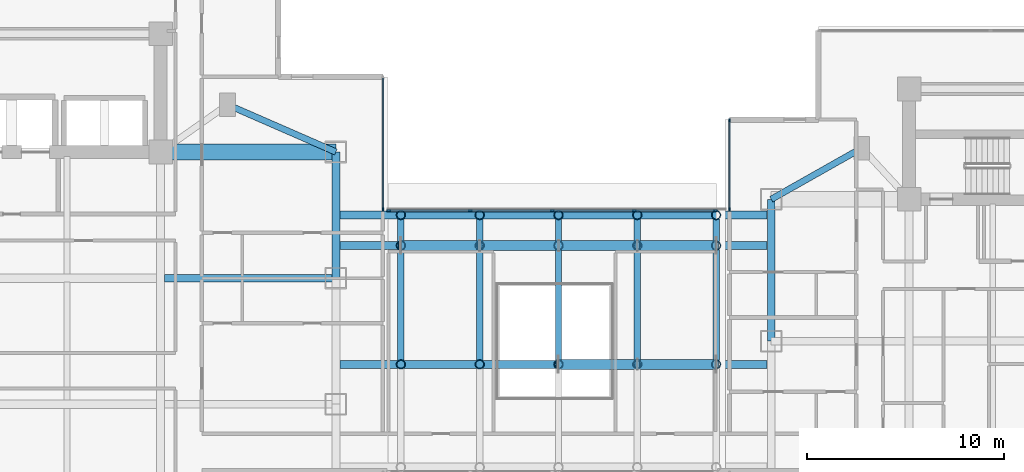
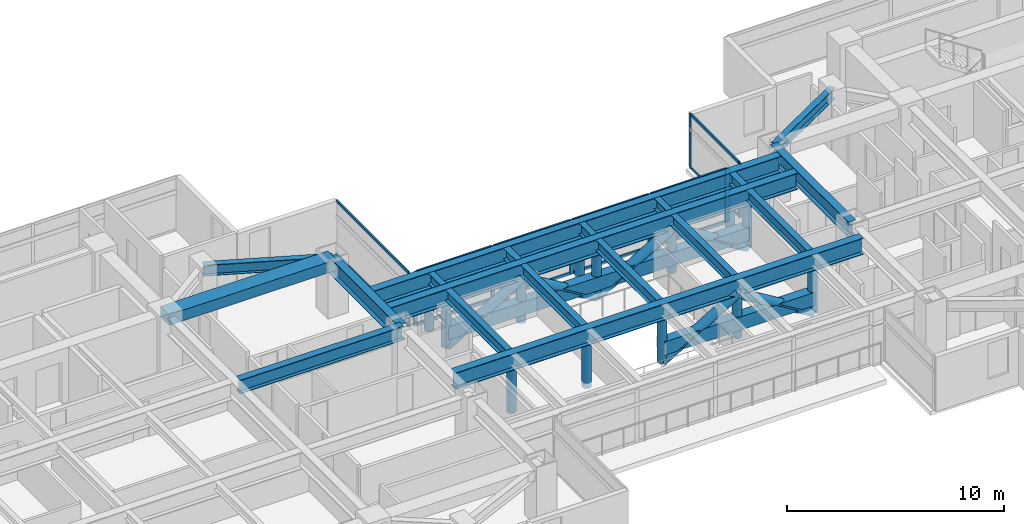
# One storey, part 6 of 27: 43 members, 19 beams, 3 elements without a shape of their own.
"""IFC4 building model written with IfcOpenShell, lengths in metres."""

from ifc_helpers import new_model, si_unit, direction, frame, origin, origin_2d, place, context, subcontext, project, spatial, rectangle, hollow_rectangle, hollow_circle, i_section, extrude, material, material_profile, profile_set, type_object, element, aggregate, save


model = new_model("IFC4")

# Units and contexts
model_context = context("Model", 3, precision=1e-05, world=origin(), true_north=direction((0.0, 1.0)))
body_context = subcontext(model_context, "Body", "Model", "MODEL_VIEW")
ifc_project = project(units=[si_unit("LENGTHUNIT", "METRE"), si_unit("AREAUNIT", "SQUARE_METRE"), si_unit("VOLUMEUNIT", "CUBIC_METRE"), si_unit("PLANEANGLEUNIT", "RADIAN"), si_unit("MASSUNIT", "GRAM", prefix="KILO")], contexts=[model_context])

# Site, building, storey
site_placement = place(None, origin())
site = spatial("IfcSite", under=ifc_project, at=site_placement, CompositionType="ELEMENT")
building_placement = place(site_placement, origin())
building = spatial("IfcBuilding", under=site, at=building_placement, Name="Mirazonda Arch Towers", CompositionType="ELEMENT")
storey_placement = place(building_placement, frame((0.0, 0.0, 95.0)))
storey = spatial("IfcBuildingStorey", under=building, at=storey_placement, Name="L26", CompositionType="ELEMENT", Elevation=95.0)

# Beams
ifc_material_1 = material(Name="Steel ASTM A992 Grade 50", Category="steel")
ifc_material_profile_1 = material_profile(ifc_material_1, i_section(OverallWidth=0.39990234375, OverallDepth=0.85595703125, WebThickness=0.018310546875, FlangeThickness=0.029296875, at=origin_2d()), Name="W33X201")
ifc_profile_set_1 = profile_set([ifc_material_profile_1], Name="Steel ASTM A992 Grade 50")
beam_type_1 = type_object("IfcBeamType", Name="BM-EXT-W33X201", PredefinedType="USERDEFINED", material=ifc_profile_set_1)
beam_1_placement = place(storey_placement, frame((61.0, 28.0, 2.652099609375), z_axis=(0.0, 1.0, 0.0), x_axis=(-1.0, 0.0, 0.0)))
element("IfcBeam", 1, at=beam_1_placement, inside=storey, type_object=beam_type_1, Name="L26 Floor Beam BM-T2-L26-NS-W-28", ObjectType="GIRDER", PredefinedType="USERDEFINED", context=body_context, shape_type="SweptSolid", body=[
    extrude(i_section(OverallWidth=0.39990234375, OverallDepth=0.85595703125, WebThickness=0.018310546875, FlangeThickness=0.029296875, at=origin_2d()), origin(), (0.0, 0.0, 1.0), 7.199951171875),
])
ifc_material_profile_2 = material_profile(ifc_material_1, i_section(OverallWidth=0.41796875, OverallDepth=0.927001953125, WebThickness=0.019287109375, FlangeThickness=0.031982421875, at=origin_2d()), Name="W36X231")
ifc_profile_set_2 = profile_set([ifc_material_profile_2], Name="Steel ASTM A992 Grade 50")
beam_type_2 = type_object("IfcBeamType", Name="BM-EXT-W36X231", PredefinedType="USERDEFINED", material=ifc_profile_set_2)
beam_2_placement = place(storey_placement, frame((38.89990234375, 31.199951171875, 2.616455078125), z_axis=(0.0, 1.0, 0.0), x_axis=(-1.0, 0.0, 0.0)))
element("IfcBeam", 2, at=beam_2_placement, inside=storey, type_object=beam_type_2, Name="L26 Floor Beam BM-T1-L26-NS-E-31", ObjectType="GIRDER", PredefinedType="USERDEFINED", context=body_context, shape_type="SweptSolid", body=[
    extrude(i_section(OverallWidth=0.41796875, OverallDepth=0.927001953125, WebThickness=0.019287109375, FlangeThickness=0.031982421875, at=origin_2d()), origin(), (0.0, 0.0, 1.0), 6.400146484375),
])
beam_3_placement = place(storey_placement, frame((39.10400390625, 34.39990234375, 2.576416015625), z_axis=(1.0, 0.0, 0.0), x_axis=(0.0, 1.0, 0.0)))
element("IfcBeam", 3, at=beam_3_placement, inside=storey, type_object=beam_type_2, Name="L27 Skybridge N Longitudinal Box Girder", ObjectType="GIRDER", PredefinedType="USERDEFINED", context=body_context, shape_type="SweptSolid", body=[
    extrude(i_section(OverallWidth=0.41796875, OverallDepth=0.927001953125, WebThickness=0.019287109375, FlangeThickness=0.031982421875, at=origin_2d()), origin(), (0.0, 0.0, 1.0), 21.69189453125),
])
ifc_material_profile_3 = material_profile(ifc_material_1, i_section(OverallWidth=0.324951171875, OverallDepth=0.615966796875, WebThickness=0.013916015625, FlangeThickness=0.021484375, at=origin_2d()), Name="W24X117")
ifc_profile_set_3 = profile_set([ifc_material_profile_3], Name="Steel ASTM A992 Grade 50")
beam_type_3 = type_object("IfcBeamType", Name="BM-INT-W24X117", PredefinedType="BEAM", material=ifc_profile_set_3)
beam_4_placement = place(storey_placement, frame((33.39990234375, 40.0, 2.77197265625), z_axis=(0.916545343703, -0.399930785183, 0.0), x_axis=(0.399930785183, 0.916545343703, 0.0)))
element("IfcBeam", 4, at=beam_4_placement, inside=storey, type_object=beam_type_3, Name="L26 Floor Beam BM-T1-L26-PL-NE2", PredefinedType="BEAM", context=body_context, shape_type="SweptSolid", body=[
    extrude(i_section(OverallWidth=0.324951171875, OverallDepth=0.615966796875, WebThickness=0.013916015625, FlangeThickness=0.021484375, at=origin_2d()), origin(), (0.0, 0.0, 1.0), 6.000732421875),
])
beam_5_placement = place(storey_placement, frame((65.60009765625, 37.800048828125, 2.77197265625), z_axis=(-0.870559396632, -0.492063346467, 0.0), x_axis=(0.492063346467, -0.870559396632, 0.0)))
element("IfcBeam", 5, at=beam_5_placement, inside=storey, type_object=beam_type_3, Name="L26 Floor Beam BM-T2-L26-PL-NW2", PredefinedType="BEAM", context=body_context, shape_type="SweptSolid", body=[
    extrude(i_section(OverallWidth=0.324951171875, OverallDepth=0.615966796875, WebThickness=0.013916015625, FlangeThickness=0.021484375, at=origin_2d()), origin(), (0.0, 0.0, 1.0), 5.2841796875),
])
beam_6_placement = place(storey_placement, frame((42.199951171875, 27.02392578125, 2.73193359375), z_axis=(0.0, 1.0, 0.0), x_axis=(-1.0, 0.0, 0.0)))
element("IfcBeam", 6, at=beam_6_placement, inside=storey, type_object=beam_type_3, Name="L26 Floor Beam BM-BRG-L27-XG1B", PredefinedType="BEAM", context=body_context, shape_type="SweptSolid", body=[
    extrude(i_section(OverallWidth=0.324951171875, OverallDepth=0.615966796875, WebThickness=0.013916015625, FlangeThickness=0.021484375, at=origin_2d()), origin(), (0.0, 0.0, 1.0), 5.6220703125),
])
beam_7_placement = place(storey_placement, frame((42.199951171875, 33.053955078125, 2.73193359375), z_axis=(0.0, 1.0, 0.0), x_axis=(-1.0, 0.0, 0.0)))
element("IfcBeam", 7, at=beam_7_placement, inside=storey, type_object=beam_type_3, Name="L26 Floor Beam BM-BRG-L27-XG1C", PredefinedType="BEAM", context=body_context, shape_type="SweptSolid", body=[
    extrude(i_section(OverallWidth=0.324951171875, OverallDepth=0.615966796875, WebThickness=0.013916015625, FlangeThickness=0.021484375, at=origin_2d()), origin(), (0.0, 0.0, 1.0), 1.14208984375),
])
beam_8_placement = place(storey_placement, frame((46.199951171875, 27.02392578125, 2.73193359375), z_axis=(0.0, 1.0, 0.0), x_axis=(-1.0, 0.0, 0.0)))
element("IfcBeam", 8, at=beam_8_placement, inside=storey, type_object=beam_type_3, Name="L26 Floor Beam BM-BRG-L27-XG2B", PredefinedType="BEAM", context=body_context, shape_type="SweptSolid", body=[
    extrude(i_section(OverallWidth=0.324951171875, OverallDepth=0.615966796875, WebThickness=0.013916015625, FlangeThickness=0.021484375, at=origin_2d()), origin(), (0.0, 0.0, 1.0), 5.6220703125),
])
beam_9_placement = place(storey_placement, frame((46.199951171875, 33.053955078125, 2.73193359375), z_axis=(0.0, 1.0, 0.0), x_axis=(-1.0, 0.0, 0.0)))
element("IfcBeam", 9, at=beam_9_placement, inside=storey, type_object=beam_type_3, Name="L26 Floor Beam BM-BRG-L27-XG2C", PredefinedType="BEAM", context=body_context, shape_type="SweptSolid", body=[
    extrude(i_section(OverallWidth=0.324951171875, OverallDepth=0.615966796875, WebThickness=0.013916015625, FlangeThickness=0.021484375, at=origin_2d()), origin(), (0.0, 0.0, 1.0), 1.14208984375),
])
beam_10_placement = place(storey_placement, frame((50.199951171875, 27.02392578125, 2.73193359375), z_axis=(0.0, 1.0, 0.0), x_axis=(-1.0, 0.0, 0.0)))
element("IfcBeam", 10, at=beam_10_placement, inside=storey, type_object=beam_type_3, Name="L26 Floor Beam BM-BRG-L27-XG3B", PredefinedType="BEAM", context=body_context, shape_type="SweptSolid", body=[
    extrude(i_section(OverallWidth=0.324951171875, OverallDepth=0.615966796875, WebThickness=0.013916015625, FlangeThickness=0.021484375, at=origin_2d()), origin(), (0.0, 0.0, 1.0), 5.6220703125),
])
beam_11_placement = place(storey_placement, frame((50.199951171875, 33.053955078125, 2.73193359375), z_axis=(0.0, 1.0, 0.0), x_axis=(-1.0, 0.0, 0.0)))
element("IfcBeam", 11, at=beam_11_placement, inside=storey, type_object=beam_type_3, Name="L26 Floor Beam BM-BRG-L27-XG3C", PredefinedType="BEAM", context=body_context, shape_type="SweptSolid", body=[
    extrude(i_section(OverallWidth=0.324951171875, OverallDepth=0.615966796875, WebThickness=0.013916015625, FlangeThickness=0.021484375, at=origin_2d()), origin(), (0.0, 0.0, 1.0), 1.14208984375),
])
beam_12_placement = place(storey_placement, frame((54.199951171875, 27.02392578125, 2.73193359375), z_axis=(0.0, 1.0, 0.0), x_axis=(-1.0, 0.0, 0.0)))
element("IfcBeam", 12, at=beam_12_placement, inside=storey, type_object=beam_type_3, Name="L26 Floor Beam BM-BRG-L27-XG4B", PredefinedType="BEAM", context=body_context, shape_type="SweptSolid", body=[
    extrude(i_section(OverallWidth=0.324951171875, OverallDepth=0.615966796875, WebThickness=0.013916015625, FlangeThickness=0.021484375, at=origin_2d()), origin(), (0.0, 0.0, 1.0), 5.6220703125),
])
beam_13_placement = place(storey_placement, frame((54.199951171875, 33.053955078125, 2.73193359375), z_axis=(0.0, 1.0, 0.0), x_axis=(-1.0, 0.0, 0.0)))
element("IfcBeam", 13, at=beam_13_placement, inside=storey, type_object=beam_type_3, Name="L26 Floor Beam BM-BRG-L27-XG4C", PredefinedType="BEAM", context=body_context, shape_type="SweptSolid", body=[
    extrude(i_section(OverallWidth=0.324951171875, OverallDepth=0.615966796875, WebThickness=0.013916015625, FlangeThickness=0.021484375, at=origin_2d()), origin(), (0.0, 0.0, 1.0), 1.14208984375),
])
beam_14_placement = place(storey_placement, frame((58.199951171875, 27.02392578125, 2.73193359375), z_axis=(0.0, 1.0, 0.0), x_axis=(-1.0, 0.0, 0.0)))
element("IfcBeam", 14, at=beam_14_placement, inside=storey, type_object=beam_type_3, Name="L26 Floor Beam BM-BRG-L27-XG5B", PredefinedType="BEAM", context=body_context, shape_type="SweptSolid", body=[
    extrude(i_section(OverallWidth=0.324951171875, OverallDepth=0.615966796875, WebThickness=0.013916015625, FlangeThickness=0.021484375, at=origin_2d()), origin(), (0.0, 0.0, 1.0), 5.6220703125),
])
beam_15_placement = place(storey_placement, frame((58.199951171875, 33.053955078125, 2.73193359375), z_axis=(0.0, 1.0, 0.0), x_axis=(-1.0, 0.0, 0.0)))
element("IfcBeam", 15, at=beam_15_placement, inside=storey, type_object=beam_type_3, Name="L26 Floor Beam BM-BRG-L27-XG5C", PredefinedType="BEAM", context=body_context, shape_type="SweptSolid", body=[
    extrude(i_section(OverallWidth=0.324951171875, OverallDepth=0.615966796875, WebThickness=0.013916015625, FlangeThickness=0.021484375, at=origin_2d()), origin(), (0.0, 0.0, 1.0), 1.14208984375),
])
ifc_material_profile_4 = material_profile(ifc_material_1, i_section(OverallWidth=0.381103515625, OverallDepth=0.77294921875, WebThickness=0.0166015625, FlangeThickness=0.027099609375, at=origin_2d()), Name="W30X173")
ifc_profile_set_4 = profile_set([ifc_material_profile_4], Name="Steel ASTM A992 Grade 50")
beam_type_4 = type_object("IfcBeamType", Name="BM-INT-W30X173", PredefinedType="USERDEFINED", material=ifc_profile_set_4)
beam_16_placement = place(storey_placement, frame((30.21142578125, 31.199951171875, 2.693603515625), z_axis=(1.0, 0.0, 0.0), x_axis=(0.0, 1.0, 0.0)))
element("IfcBeam", 16, at=beam_16_placement, inside=storey, type_object=beam_type_4, Name="L26 Floor Beam BM-T1-L26-GE3", ObjectType="GIRDER", PredefinedType="USERDEFINED", context=body_context, shape_type="SweptSolid", body=[
    extrude(i_section(OverallWidth=0.381103515625, OverallDepth=0.77294921875, WebThickness=0.0166015625, FlangeThickness=0.027099609375, at=origin_2d()), origin(), (0.0, 0.0, 1.0), 8.6884765625),
])
ifc_material_profile_5 = material_profile(ifc_material_1, i_section(OverallWidth=0.41796875, OverallDepth=0.927001953125, WebThickness=0.019287109375, FlangeThickness=0.031982421875, at=origin_2d()), Name="W36X231")
ifc_profile_set_5 = profile_set([ifc_material_profile_5], Name="Steel ASTM A992 Grade 50")
beam_type_5 = type_object("IfcBeamType", Name="BM-INT-W36X231", PredefinedType="USERDEFINED", material=ifc_profile_set_5)
for number, where, z_axis, x_axis, name in (
    (17, (39.10400390625, 26.820068359375, 2.576416015625), (1.0, 0.0, 0.0), (0.0, 1.0, 0.0), "L27 Skybridge IS Interior Truss Girder"),
    (18, (39.10400390625, 32.85009765625, 2.576416015625), (1.0, 0.0, 0.0), (0.0, 1.0, 0.0), "L27 Skybridge IN Interior Truss Girder"),
):
    element("IfcBeam", number, at=place(storey_placement, frame(where, z_axis=z_axis, x_axis=x_axis)), inside=storey, type_object=beam_type_5, Name=name, ObjectType="GIRDER", PredefinedType="USERDEFINED", context=body_context, shape_type="SweptSolid", body=[
        extrude(i_section(OverallWidth=0.41796875, OverallDepth=0.927001953125, WebThickness=0.019287109375, FlangeThickness=0.031982421875, at=origin_2d()), origin(), (0.0, 0.0, 1.0), 21.69189453125),
    ])
ifc_material_2 = material(Name="Concrete C60/75", Category="concrete")
ifc_material_profile_6 = material_profile(ifc_material_2, rectangle(XDim=0.800048828125, YDim=0.60009765625, at=origin_2d()), Name="RCCB800x600")
ifc_profile_set_6 = profile_set([ifc_material_profile_6], Name="Concrete C60/75")
beam_type_6 = type_object("IfcBeamType", Name="CB-INT-RCCB800x600", PredefinedType="SPANDREL", material=ifc_profile_set_6)
beam_17_placement = place(storey_placement, frame((30.0, 37.60009765625, 2.780029296875), z_axis=(1.0, 0.0, 0.0), x_axis=(0.0, 1.0, 0.0)))
element("IfcBeam", 19, at=beam_17_placement, inside=storey, type_object=beam_type_6, Name="L26 Floor Beam CBC-T1-L26-NE", PredefinedType="SPANDREL", context=body_context, shape_type="SweptSolid", body=[
    extrude(rectangle(XDim=0.800048828125, YDim=0.60009765625, at=origin_2d()), origin(), (0.0, 0.0, 1.0), 8.89990234375),
])

# Members
ifc_material_3 = material(Name="Steel ASTM A572 Grade 50", Category="steel")
ifc_material_profile_7 = material_profile(ifc_material_3, hollow_circle(Radius=0.228515625, WallThickness=0.02197265625, at=origin_2d()), Name="BELTSTRUT457x22CHS")
ifc_profile_set_7 = profile_set([ifc_material_profile_7], Name="Steel ASTM A572 Grade 50")
member_type_1 = type_object("IfcMemberType", Name="MBR-EXT-BELTSTRUT457x22CHS", PredefinedType="STRUT", material=ifc_profile_set_7)
for number, where, z_axis, x_axis, name in (
    (20, (42.199951171875, 34.39990234375, -0.2900390625), (0.0, 0.0, 1.0), (1.0, 0.0, 0.0), "L26 Skybridge N Vierendeel Post 1"),
    (21, (46.199951171875, 34.39990234375, -0.2900390625), (0.0, 0.0, 1.0), (1.0, 0.0, 0.0), "L26 Skybridge N Vierendeel Post 2"),
    (22, (50.199951171875, 34.39990234375, -0.2900390625), (0.0, 0.0, 1.0), (1.0, 0.0, 0.0), "L26 Skybridge N Vierendeel Post 3"),
    (23, (54.199951171875, 34.39990234375, -0.2900390625), (0.0, 0.0, 1.0), (1.0, 0.0, 0.0), "L26 Skybridge N Vierendeel Post 4"),
    (24, (58.199951171875, 34.39990234375, -0.2900390625), (0.0, 0.0, 1.0), (1.0, 0.0, 0.0), "L26 Skybridge N Vierendeel Post 5"),
    (25, (42.199951171875, 26.820068359375, -0.2900390625), (0.0, 0.0, 1.0), (1.0, 0.0, 0.0), "L26 Skybridge IS Interior Truss Post 1"),
    (26, (46.199951171875, 26.820068359375, -0.2900390625), (0.0, 0.0, 1.0), (1.0, 0.0, 0.0), "L26 Skybridge IS Interior Truss Post 2"),
    (27, (50.199951171875, 26.820068359375, -0.2900390625), (0.0, 0.0, 1.0), (1.0, 0.0, 0.0), "L26 Skybridge IS Interior Truss Post 3"),
    (28, (54.199951171875, 26.820068359375, -0.2900390625), (0.0, 0.0, 1.0), (1.0, 0.0, 0.0), "L26 Skybridge IS Interior Truss Post 4"),
    (29, (58.199951171875, 26.820068359375, -0.2900390625), (0.0, 0.0, 1.0), (1.0, 0.0, 0.0), "L26 Skybridge IS Interior Truss Post 5"),
    (30, (42.199951171875, 32.85009765625, -0.2900390625), (0.0, 0.0, 1.0), (1.0, 0.0, 0.0), "L26 Skybridge IN Interior Truss Post 1"),
    (31, (46.199951171875, 32.85009765625, -0.2900390625), (0.0, 0.0, 1.0), (1.0, 0.0, 0.0), "L26 Skybridge IN Interior Truss Post 2"),
    (32, (50.199951171875, 32.85009765625, -0.2900390625), (0.0, 0.0, 1.0), (1.0, 0.0, 0.0), "L26 Skybridge IN Interior Truss Post 3"),
    (33, (54.199951171875, 32.85009765625, -0.2900390625), (0.0, 0.0, 1.0), (1.0, 0.0, 0.0), "L26 Skybridge IN Interior Truss Post 4"),
    (34, (58.199951171875, 32.85009765625, -0.2900390625), (0.0, 0.0, 1.0), (1.0, 0.0, 0.0), "L26 Skybridge IN Interior Truss Post 5"),
):
    element("IfcMember", number, at=place(storey_placement, frame(where, z_axis=z_axis, x_axis=x_axis)), inside=storey, type_object=member_type_1, Name=name, PredefinedType="STRUT", context=body_context, shape_type="SweptSolid", body=[
        extrude(hollow_circle(Radius=0.228515625, WallThickness=0.02197265625, at=origin_2d()), origin(), (0.0, 0.0, 1.0), 2.4130859375),
    ])
ifc_material_profile_8 = material_profile(ifc_material_3, hollow_rectangle(XDim=0.5, YDim=0.75, WallThickness=0.0419921875, at=origin_2d()), Name="BRGCHORD750x500x42")
ifc_profile_set_8 = profile_set([ifc_material_profile_8], Name="Steel ASTM A572 Grade 50")
member_type_2 = type_object("IfcMemberType", Name="MBR-EXT-BRGCHORD750x500x42", PredefinedType="CHORD", material=ifc_profile_set_8)
member_1_placement = place(storey_placement, frame((50.199951171875, 26.820068359375, 0.550048828125), z_axis=(1.0, 0.0, 0.0), x_axis=(0.0, 1.0, 0.0)))
element("IfcMember", 35, at=member_1_placement, inside=storey, type_object=member_type_2, Name="L26 Skybridge IS Truss Chord", PredefinedType="CHORD", context=body_context, shape_type="SweptSolid", body=[
    extrude(hollow_rectangle(XDim=0.5, YDim=0.75, WallThickness=0.0419921875, at=origin_2d()), origin(), (0.0, 0.0, 1.0), 8.0),
])
member_2_placement = place(storey_placement, frame((42.199951171875, 32.85009765625, 0.550048828125), z_axis=(1.0, 0.0, 0.0), x_axis=(0.0, 1.0, 0.0)))
element("IfcMember", 36, at=member_2_placement, inside=storey, type_object=member_type_2, Name="L26 Skybridge IN Truss Chord", PredefinedType="CHORD", context=body_context, shape_type="SweptSolid", body=[
    extrude(hollow_rectangle(XDim=0.5, YDim=0.75, WallThickness=0.0419921875, at=origin_2d()), origin(), (0.0, 0.0, 1.0), 16.0),
])
ifc_material_profile_9 = material_profile(ifc_material_3, hollow_circle(Radius=0.25390625, WallThickness=0.02490234375, at=origin_2d()), Name="BRGDIAG508x25CHS")
ifc_profile_set_9 = profile_set([ifc_material_profile_9], Name="Steel ASTM A572 Grade 50")
member_type_3 = type_object("IfcMemberType", Name="MBR-EXT-BRGDIAG508x25CHS", PredefinedType="BRACE", material=ifc_profile_set_9)
for number, where, z_axis, x_axis, name in (
    (37, (50.199951171875, 26.820068359375, -0.2900390625), (0.856254618008, 0.0, 0.516553994409), (0.0, 1.0, 0.0), "L26 Skybridge IS Web Diagonal 3"),
    (38, (54.199951171875, 26.820068359375, 2.123046875), (0.856254618008, 0.0, -0.516553994409), (0.0, 1.0, 0.0), "L26 Skybridge IS Web Diagonal 4"),
    (39, (42.199951171875, 32.85009765625, -0.2900390625), (0.856254618008, 0.0, 0.516553994409), (0.0, 1.0, 0.0), "L26 Skybridge IN Web Diagonal 1"),
    (40, (46.199951171875, 32.85009765625, 2.123046875), (0.856254618008, 0.0, -0.516553994409), (0.0, 1.0, 0.0), "L26 Skybridge IN Web Diagonal 2"),
    (41, (50.199951171875, 32.85009765625, -0.2900390625), (0.856254618008, 0.0, 0.516553994409), (0.0, 1.0, 0.0), "L26 Skybridge IN Web Diagonal 3"),
    (42, (54.199951171875, 32.85009765625, 2.123046875), (0.856254618008, 0.0, -0.516553994409), (0.0, 1.0, 0.0), "L26 Skybridge IN Web Diagonal 4"),
):
    element("IfcMember", number, at=place(storey_placement, frame(where, z_axis=z_axis, x_axis=x_axis)), inside=storey, type_object=member_type_3, Name=name, PredefinedType="BRACE", context=body_context, shape_type="SweptSolid", body=[
        extrude(hollow_circle(Radius=0.25390625, WallThickness=0.02490234375, at=origin_2d()), origin(), (0.0, 0.0, 1.0), 4.67138671875),
    ])

# Curtain wall, members
ifc_material_4 = material(Name="Anodised Aluminium and Low-E Glass", Category="aluminium")
curtain_wall_type_1 = type_object("IfcCurtainWallType", Name="CW-BRG-LINK", PredefinedType="NOTDEFINED", material=ifc_material_4)
curtain_wall_1_placement = place(storey_placement, origin())
curtain_wall_1 = element("IfcCurtainWall", 43, at=curtain_wall_1_placement, inside=storey, type_object=curtain_wall_type_1, Name="L26 Skybridge North Glazing CW-L26-BRG-N", PredefinedType="NOTDEFINED")
ifc_material_5 = material(Name="Anodised Aluminium Alloy", Category="aluminium")
ifc_material_profile_10 = material_profile(ifc_material_5, rectangle(XDim=0.0849609375, YDim=0.199951171875, at=origin_2d()), Name="ALU-MULL-85x200")
ifc_profile_set_10 = profile_set([ifc_material_profile_10], Name="Anodised Aluminium Alloy")
member_type_4 = type_object("IfcMemberType", Name="MULL-CW-BRG-LINK", PredefinedType="MULLION", material=ifc_profile_set_10)
member_3_placement = place(storey_placement, frame((41.592529296875, 34.6201171875, 0.0), z_axis=(0.0, 0.0, 1.0), x_axis=(0.0, 1.0, 0.0)))
member_3 = element("IfcMember", 44, at=member_3_placement, type_object=member_type_4, Name="CW-103 mullion 1", PredefinedType="MULLION", context=body_context, shape_type="SweptSolid", body=[
    extrude(rectangle(XDim=0.0849609375, YDim=0.199951171875, at=origin_2d()), origin(), (0.0, 0.0, 1.0), 3.02001953125),
])
member_4_placement = place(storey_placement, frame((45.71533203125, 34.6201171875, 0.0), z_axis=(0.0, 0.0, 1.0), x_axis=(0.0, 1.0, 0.0)))
member_4 = element("IfcMember", 45, at=member_4_placement, type_object=member_type_4, Name="CW-103 mullion 2", PredefinedType="MULLION", context=body_context, shape_type="SweptSolid", body=[
    extrude(rectangle(XDim=0.0849609375, YDim=0.199951171875, at=origin_2d()), origin(), (0.0, 0.0, 1.0), 3.02001953125),
])
member_5_placement = place(storey_placement, frame((49.880859375, 34.6201171875, 0.0), z_axis=(0.0, 0.0, 1.0), x_axis=(0.0, 1.0, 0.0)))
member_5 = element("IfcMember", 46, at=member_5_placement, type_object=member_type_4, Name="CW-103 mullion 3", PredefinedType="MULLION", context=body_context, shape_type="SweptSolid", body=[
    extrude(rectangle(XDim=0.0849609375, YDim=0.199951171875, at=origin_2d()), origin(), (0.0, 0.0, 1.0), 3.02001953125),
])
member_6_placement = place(storey_placement, frame((54.046142578125, 34.6201171875, 0.0), z_axis=(0.0, 0.0, 1.0), x_axis=(0.0, 1.0, 0.0)))
member_6 = element("IfcMember", 47, at=member_6_placement, type_object=member_type_4, Name="CW-103 mullion 4", PredefinedType="MULLION", context=body_context, shape_type="SweptSolid", body=[
    extrude(rectangle(XDim=0.0849609375, YDim=0.199951171875, at=origin_2d()), origin(), (0.0, 0.0, 1.0), 3.02001953125),
])
member_7_placement = place(storey_placement, frame((58.1689453125, 34.6201171875, 0.0), z_axis=(0.0, 0.0, 1.0), x_axis=(0.0, 1.0, 0.0)))
member_7 = element("IfcMember", 48, at=member_7_placement, type_object=member_type_4, Name="CW-103 mullion 5", PredefinedType="MULLION", context=body_context, shape_type="SweptSolid", body=[
    extrude(rectangle(XDim=0.0849609375, YDim=0.199951171875, at=origin_2d()), origin(), (0.0, 0.0, 1.0), 3.02001953125),
])

# Curtain wall, member
curtain_wall_type_2 = type_object("IfcCurtainWallType", Name="CW-HTL-UNIT", PredefinedType="NOTDEFINED", material=ifc_material_4)
curtain_wall_2_placement = place(storey_placement, origin())
curtain_wall_2 = element("IfcCurtainWall", 49, at=curtain_wall_2_placement, inside=storey, type_object=curtain_wall_type_2, Name="L26 Curtain Wall CW-L26-T1-E2", PredefinedType="NOTDEFINED")
ifc_material_profile_11 = material_profile(ifc_material_5, rectangle(XDim=0.074951171875, YDim=0.1650390625, at=origin_2d()), Name="ALU-MULL-75x165")
ifc_profile_set_11 = profile_set([ifc_material_profile_11], Name="Anodised Aluminium Alloy")
member_type_5 = type_object("IfcMemberType", Name="MULL-CW-HTL-UNIT", PredefinedType="MULLION", material=ifc_profile_set_11)
member_8_placement = place(storey_placement, frame((41.2900390625, 34.677490234375, 0.0), z_axis=(0.0, 0.0, 1.0), x_axis=(-1.0, 0.0, 0.0)))
member_8 = element("IfcMember", 50, at=member_8_placement, type_object=member_type_5, Name="CW-112 mullion 1", PredefinedType="MULLION", context=body_context, shape_type="SweptSolid", body=[
    extrude(rectangle(XDim=0.074951171875, YDim=0.1650390625, at=origin_2d()), origin(), (0.0, 0.0, 1.0), 3.06005859375),
])

# Curtain wall, members
curtain_wall_3_placement = place(storey_placement, origin())
curtain_wall_3 = element("IfcCurtainWall", 51, at=curtain_wall_3_placement, inside=storey, type_object=curtain_wall_type_2, Name="L26 Curtain Wall CW-L26-T2-W1", PredefinedType="NOTDEFINED")
member_9_placement = place(storey_placement, frame((58.881591796875, 39.210205078125, 0.0), z_axis=(0.0, 0.0, 1.0), x_axis=(1.0, 0.0, 0.0)))
member_9 = element("IfcMember", 52, at=member_9_placement, type_object=member_type_5, Name="CW-112 mullion 1", PredefinedType="MULLION", context=body_context, shape_type="SweptSolid", body=[
    extrude(rectangle(XDim=0.074951171875, YDim=0.1650390625, at=origin_2d()), origin(), (0.0, 0.0, 1.0), 3.06005859375),
])
member_10_placement = place(storey_placement, frame((58.881591796875, 34.677490234375, 0.0), z_axis=(0.0, 0.0, 1.0), x_axis=(1.0, 0.0, 0.0)))
member_10 = element("IfcMember", 53, at=member_10_placement, type_object=member_type_5, Name="CW-112 mullion 2", PredefinedType="MULLION", context=body_context, shape_type="SweptSolid", body=[
    extrude(rectangle(XDim=0.074951171875, YDim=0.1650390625, at=origin_2d()), origin(), (0.0, 0.0, 1.0), 3.06005859375),
])

# Member
ifc_material_profile_12 = material_profile(ifc_material_5, rectangle(XDim=0.0849609375, YDim=0.179931640625, at=origin_2d()), Name="ALU-TRAN-85x180")
ifc_profile_set_12 = profile_set([ifc_material_profile_12], Name="Anodised Aluminium Alloy")
member_type_6 = type_object("IfcMemberType", Name="TRAN-CW-BRG-LINK", PredefinedType="USERDEFINED", material=ifc_profile_set_12)
member_11_placement = place(storey_placement, frame((41.635009765625, 34.6201171875, 0.04248046875), z_axis=(1.0, 0.0, 0.0), x_axis=(0.0, 1.0, 0.0)))
member_11 = element("IfcMember", 54, at=member_11_placement, type_object=member_type_6, Name="CW-103 transom 1.1", ObjectType="TRANSOM", PredefinedType="USERDEFINED", context=body_context, shape_type="SweptSolid", body=[
    extrude(rectangle(XDim=0.0849609375, YDim=0.179931640625, at=origin_2d()), origin(), (0.0, 0.0, 1.0), 4.037841796875),
])

member_12_placement = place(storey_placement, frame((41.635009765625, 34.6201171875, 2.9775390625), z_axis=(1.0, 0.0, 0.0), x_axis=(0.0, 1.0, 0.0)))
member_12 = element("IfcMember", 55, at=member_12_placement, type_object=member_type_6, Name="CW-103 transom 1.2", ObjectType="TRANSOM", PredefinedType="USERDEFINED", context=body_context, shape_type="SweptSolid", body=[
    extrude(rectangle(XDim=0.0849609375, YDim=0.179931640625, at=origin_2d()), origin(), (0.0, 0.0, 1.0), 4.037841796875),
])

member_13_placement = place(storey_placement, frame((45.7578125, 34.6201171875, 0.04248046875), z_axis=(1.0, 0.0, 0.0), x_axis=(0.0, 1.0, 0.0)))
member_13 = element("IfcMember", 56, at=member_13_placement, type_object=member_type_6, Name="CW-103 transom 2.1", ObjectType="TRANSOM", PredefinedType="USERDEFINED", context=body_context, shape_type="SweptSolid", body=[
    extrude(rectangle(XDim=0.0849609375, YDim=0.179931640625, at=origin_2d()), origin(), (0.0, 0.0, 1.0), 4.080322265625),
])

member_14_placement = place(storey_placement, frame((45.7578125, 34.6201171875, 2.9775390625), z_axis=(1.0, 0.0, 0.0), x_axis=(0.0, 1.0, 0.0)))
member_14 = element("IfcMember", 57, at=member_14_placement, type_object=member_type_6, Name="CW-103 transom 2.2", ObjectType="TRANSOM", PredefinedType="USERDEFINED", context=body_context, shape_type="SweptSolid", body=[
    extrude(rectangle(XDim=0.0849609375, YDim=0.179931640625, at=origin_2d()), origin(), (0.0, 0.0, 1.0), 4.080322265625),
])

member_15_placement = place(storey_placement, frame((49.92333984375, 34.6201171875, 0.04248046875), z_axis=(1.0, 0.0, 0.0), x_axis=(0.0, 1.0, 0.0)))
member_15 = element("IfcMember", 58, at=member_15_placement, type_object=member_type_6, Name="CW-103 transom 3.1", ObjectType="TRANSOM", PredefinedType="USERDEFINED", context=body_context, shape_type="SweptSolid", body=[
    extrude(rectangle(XDim=0.0849609375, YDim=0.179931640625, at=origin_2d()), origin(), (0.0, 0.0, 1.0), 4.080322265625),
])

member_16_placement = place(storey_placement, frame((49.92333984375, 34.6201171875, 2.9775390625), z_axis=(1.0, 0.0, 0.0), x_axis=(0.0, 1.0, 0.0)))
member_16 = element("IfcMember", 59, at=member_16_placement, type_object=member_type_6, Name="CW-103 transom 3.2", ObjectType="TRANSOM", PredefinedType="USERDEFINED", context=body_context, shape_type="SweptSolid", body=[
    extrude(rectangle(XDim=0.0849609375, YDim=0.179931640625, at=origin_2d()), origin(), (0.0, 0.0, 1.0), 4.080322265625),
])

member_17_placement = place(storey_placement, frame((54.088623046875, 34.6201171875, 0.04248046875), z_axis=(1.0, 0.0, 0.0), x_axis=(0.0, 1.0, 0.0)))
member_17 = element("IfcMember", 60, at=member_17_placement, type_object=member_type_6, Name="CW-103 transom 4.1", ObjectType="TRANSOM", PredefinedType="USERDEFINED", context=body_context, shape_type="SweptSolid", body=[
    extrude(rectangle(XDim=0.0849609375, YDim=0.179931640625, at=origin_2d()), origin(), (0.0, 0.0, 1.0), 4.037841796875),
])

member_18_placement = place(storey_placement, frame((54.088623046875, 34.6201171875, 2.9775390625), z_axis=(1.0, 0.0, 0.0), x_axis=(0.0, 1.0, 0.0)))
member_18 = element("IfcMember", 61, at=member_18_placement, type_object=member_type_6, Name="CW-103 transom 4.2", ObjectType="TRANSOM", PredefinedType="USERDEFINED", context=body_context, shape_type="SweptSolid", body=[
    extrude(rectangle(XDim=0.0849609375, YDim=0.179931640625, at=origin_2d()), origin(), (0.0, 0.0, 1.0), 4.037841796875),
])

aggregate(curtain_wall_1, [member_3, member_4, member_5, member_6, member_7, member_11, member_12, member_13, member_14, member_15, member_16, member_17, member_18])

ifc_material_profile_13 = material_profile(ifc_material_5, rectangle(XDim=0.074951171875, YDim=0.14501953125, at=origin_2d()), Name="ALU-TRAN-75x145")
ifc_profile_set_13 = profile_set([ifc_material_profile_13], Name="Anodised Aluminium Alloy")
member_type_7 = type_object("IfcMemberType", Name="TRAN-CW-HTL-UNIT", PredefinedType="USERDEFINED", material=ifc_profile_set_13)
member_19_placement = place(storey_placement, frame((41.2900390625, 34.715087890625, 0.03759765625), z_axis=(0.0, 1.0, 0.0), x_axis=(-1.0, 0.0, 0.0)))
member_19 = element("IfcMember", 62, at=member_19_placement, type_object=member_type_7, Name="CW-112 transom 1.1", ObjectType="TRANSOM", PredefinedType="USERDEFINED", context=body_context, shape_type="SweptSolid", body=[
    extrude(rectangle(XDim=0.074951171875, YDim=0.14501953125, at=origin_2d()), origin(), (0.0, 0.0, 1.0), 6.630859375),
])

member_20_placement = place(storey_placement, frame((41.2900390625, 34.715087890625, 3.0224609375), z_axis=(0.0, 1.0, 0.0), x_axis=(-1.0, 0.0, 0.0)))
member_20 = element("IfcMember", 63, at=member_20_placement, type_object=member_type_7, Name="CW-112 transom 1.2", ObjectType="TRANSOM", PredefinedType="USERDEFINED", context=body_context, shape_type="SweptSolid", body=[
    extrude(rectangle(XDim=0.074951171875, YDim=0.14501953125, at=origin_2d()), origin(), (0.0, 0.0, 1.0), 6.630859375),
])

aggregate(curtain_wall_2, [member_8, member_19, member_20])

member_21_placement = place(storey_placement, frame((58.881591796875, 39.1728515625, 0.03759765625), z_axis=(0.0, -1.0, 0.0), x_axis=(1.0, 0.0, 0.0)))
member_21 = element("IfcMember", 64, at=member_21_placement, type_object=member_type_7, Name="CW-112 transom 1.1", ObjectType="TRANSOM", PredefinedType="USERDEFINED", context=body_context, shape_type="SweptSolid", body=[
    extrude(rectangle(XDim=0.074951171875, YDim=0.14501953125, at=origin_2d()), origin(), (0.0, 0.0, 1.0), 4.457763671875),
])

member_22_placement = place(storey_placement, frame((58.881591796875, 39.1728515625, 3.0224609375), z_axis=(0.0, -1.0, 0.0), x_axis=(1.0, 0.0, 0.0)))
member_22 = element("IfcMember", 65, at=member_22_placement, type_object=member_type_7, Name="CW-112 transom 1.2", ObjectType="TRANSOM", PredefinedType="USERDEFINED", context=body_context, shape_type="SweptSolid", body=[
    extrude(rectangle(XDim=0.074951171875, YDim=0.14501953125, at=origin_2d()), origin(), (0.0, 0.0, 1.0), 4.457763671875),
])

aggregate(curtain_wall_3, [member_9, member_10, member_21, member_22])

save(model, "model.ifc")
